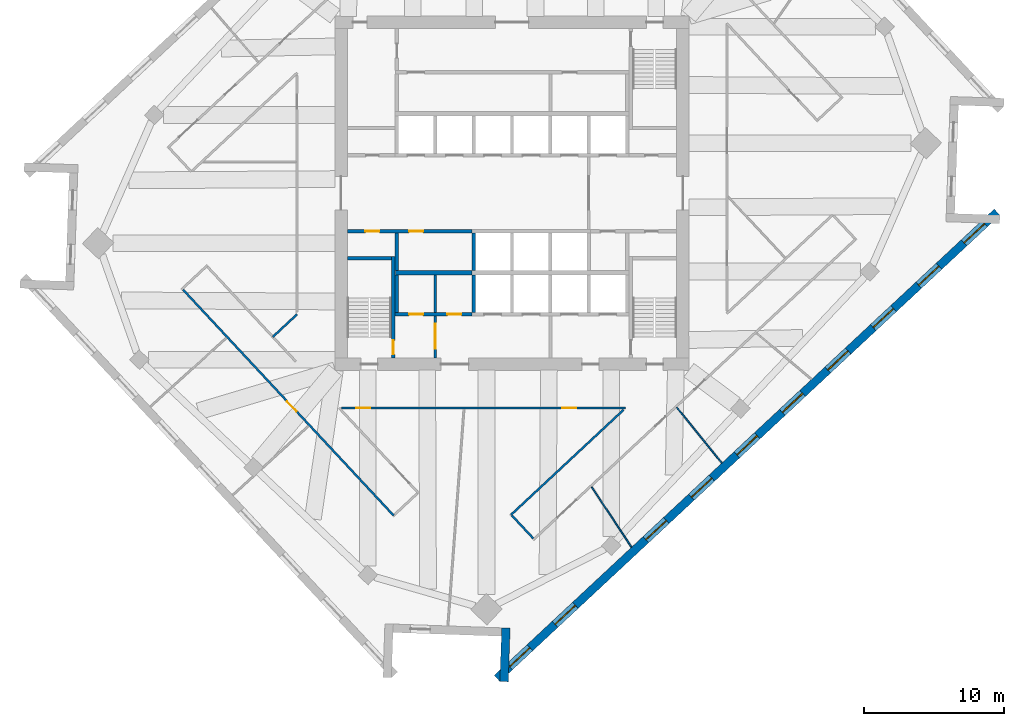
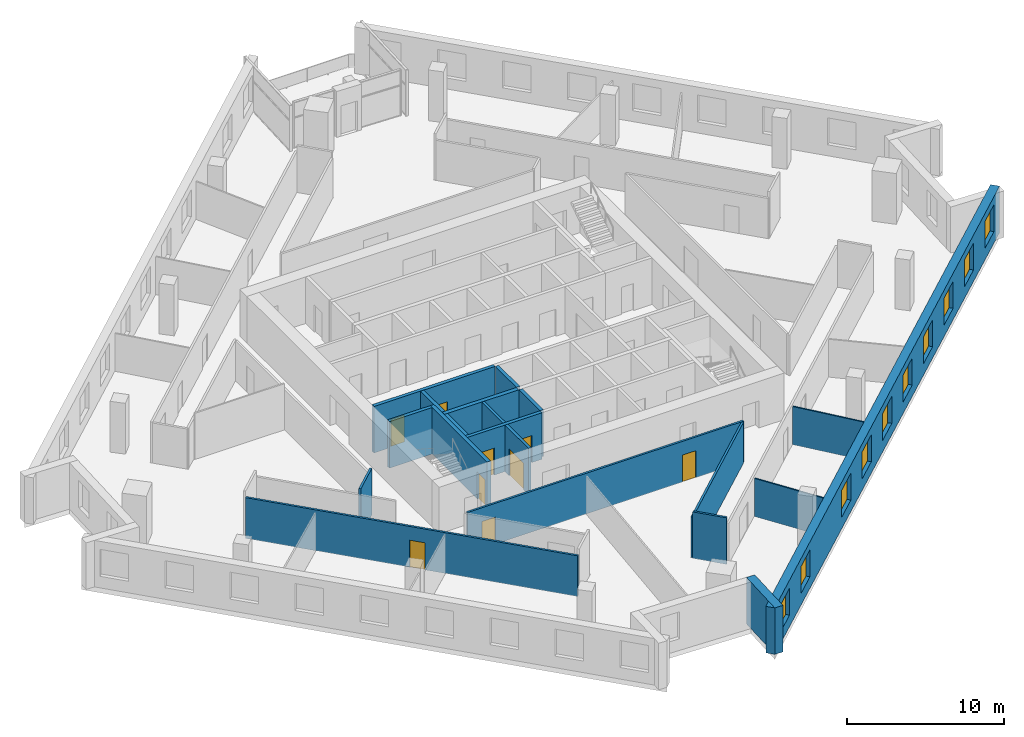
# One storey, part 4 of 10: 20 walls, 10 windows, 9 doors, 19 openings.
"""IFC4 building model written with IfcOpenShell, lengths in metres."""

from ifc_helpers import new_model, si_unit, direction, frame, frame_2d, origin, place, context, subcontext, project, spatial, rectangle, extrude, material, layer, layer_set, type_object, element, fill, save


model = new_model("IFC4")

# Units and contexts
model_context = context("Model", 3, precision=1e-05, world=origin(), true_north=direction((0.0, 1.0)))
body_context = subcontext(model_context, "Body", "Model", "MODEL_VIEW")
ifc_project = project(units=[si_unit("LENGTHUNIT", "METRE"), si_unit("AREAUNIT", "SQUARE_METRE"), si_unit("VOLUMEUNIT", "CUBIC_METRE"), si_unit("PLANEANGLEUNIT", "RADIAN"), si_unit("MASSUNIT", "GRAM", prefix="KILO")], contexts=[model_context])

# Site, building, storey
site_placement = place(None, origin())
site = spatial("IfcSite", under=ifc_project, at=site_placement, CompositionType="ELEMENT")
building_placement = place(site_placement, origin())
building = spatial("IfcBuilding", under=site, at=building_placement, Name="Dilmun Exchange Tower", CompositionType="ELEMENT")
storey_placement = place(building_placement, frame((0.0, 0.0, 201.300048828125)))
storey = spatial("IfcBuildingStorey", under=building, at=storey_placement, Name="L47", CompositionType="ELEMENT", Elevation=201.300048828125)

# Wall, opening, door
ifc_material_1 = material(Name="Concrete C40/50", Category="concrete")
ifc_layer_1 = layer(ifc_material_1, 0.199951171875)
ifc_layer_set_1 = layer_set([ifc_layer_1], Name="Concrete C40/50")
wall_type_1 = type_object("IfcWallType", Name="Core partition wall 200", PredefinedType="PARTITIONING", material=ifc_layer_set_1)
wall_1_placement = place(storey_placement, frame((-5.5, -11.794921875, 0.0), z_axis=(0.0, 0.0, 1.0), x_axis=(0.0, 1.0, 0.0)))
wall_1 = element("IfcWall", 1, at=wall_1_placement, inside=storey, type_object=wall_type_1, Name="L47 core partition wall 01", PredefinedType="PARTITIONING", context=body_context, shape_type="SweptSolid", body=[
    extrude(rectangle(XDim=2.989990234375, YDim=0.199951171875, at=frame_2d((1.4951171875, 0.0))), origin(), (0.0, 0.0, 1.0), 3.619873046875),
])
opening_1_placement = place(wall_1_placement, frame((0.657470703125, 0.0, 0.0)))
opening_1 = element("IfcOpeningElement", 2, at=opening_1_placement, cuts=wall_1, Name="Opening CD5", PredefinedType="OPENING", context=body_context, shape_type="SweptSolid", body=[
    extrude(rectangle(XDim=1.800048828125, YDim=2.10009765625, at=frame_2d((0.89990234375, 1.050048828125))), frame((0.0, 0.10986328125, 0.0), z_axis=(0.0, -1.0, 0.0), x_axis=(1.0, 0.0, 0.0)), (0.0, 0.0, 1.0), 0.219970703125),
])
ifc_material_2 = material(Name="Fire-rated steel door set", Category="steel")
door_type_1 = type_object("IfcDoorType", Name="Stair exit door 1800x2100", OperationType="SINGLE_SWING_LEFT", PredefinedType="DOOR", material=ifc_material_2)
door_1_placement = place(opening_1_placement, origin())
door_1 = element("IfcDoor", 3, at=door_1_placement, inside=storey, type_object=door_type_1, Name="L47 door Service lobby east", OperationType="SINGLE_SWING_LEFT", OverallHeight=2.10009765625, OverallWidth=1.800048828125, PredefinedType="DOOR", context=body_context, shape_type="SweptSolid", body=[
    extrude(rectangle(XDim=1.800048828125, YDim=2.10009765625, at=frame_2d((0.89990234375, 1.050048828125))), frame((0.0, 0.02490234375, 0.0), z_axis=(0.0, -1.0, 0.0), x_axis=(1.0, 0.0, 0.0)), (0.0, 0.0, 1.0), 0.050048828125),
])
fill(opening_1, door_1)

# Wall
wall_2_placement = place(storey_placement, frame((-5.5, -8.544921875, 0.0), z_axis=(0.0, 0.0, 1.0), x_axis=(0.0, 1.0, 0.0)))
element("IfcWall", 4, at=wall_2_placement, inside=storey, type_object=wall_type_1, Name="L47 core partition wall 05", PredefinedType="PARTITIONING", context=body_context, shape_type="SweptSolid", body=[
    extrude(rectangle(XDim=2.68994140625, YDim=0.199951171875, at=frame_2d((1.344970703125, 0.0))), origin(), (0.0, 0.0, 1.0), 3.619873046875),
])

# Wall, openings, doors
ifc_layer_2 = layer(ifc_material_1, 0.25)
ifc_layer_set_2 = layer_set([ifc_layer_2], Name="Concrete C40/50")
wall_type_2 = type_object("IfcWallType", Name="Core partition wall 250", PredefinedType="PARTITIONING", material=ifc_layer_set_2)
wall_3_placement = place(storey_placement, frame((-8.3701171875, -8.675048828125, 0.0), z_axis=(0.0, 0.0, 1.0), x_axis=(1.0, 0.0, 0.0)))
wall_3 = element("IfcWall", 5, at=wall_3_placement, inside=storey, type_object=wall_type_2, Name="L47 core partition wall 03", PredefinedType="PARTITIONING", context=body_context, shape_type="SweptSolid", body=[
    extrude(rectangle(XDim=5.490234375, YDim=0.25, at=frame_2d((2.7451171875, 0.0))), origin(), (0.0, 0.0, 1.0), 3.619873046875),
])
opening_2_placement = place(wall_3_placement, frame((0.9951171875, 0.0, 0.0)))
opening_2 = element("IfcOpeningElement", 6, at=opening_2_placement, cuts=wall_3, Name="Opening CD4", PredefinedType="OPENING", context=body_context, shape_type="SweptSolid", body=[
    extrude(rectangle(XDim=1.0, YDim=2.10009765625, at=frame_2d((0.5, 1.050048828125))), frame((0.0, 0.135009765625, 0.0), z_axis=(0.0, -1.0, 0.0), x_axis=(1.0, 0.0, 0.0)), (0.0, 0.0, 1.0), 0.27001953125),
])
opening_3_placement = place(wall_3_placement, frame((3.7451171875, 0.0, 0.0)))
opening_3 = element("IfcOpeningElement", 7, at=opening_3_placement, cuts=wall_3, Name="Opening CD4", PredefinedType="OPENING", context=body_context, shape_type="SweptSolid", body=[
    extrude(rectangle(XDim=1.0, YDim=2.10009765625, at=frame_2d((0.5, 1.050048828125))), frame((0.0, 0.135009765625, 0.0), z_axis=(0.0, -1.0, 0.0), x_axis=(1.0, 0.0, 0.0)), (0.0, 0.0, 1.0), 0.27001953125),
])
door_type_2 = type_object("IfcDoorType", Name="Core room door 1000x2100", OperationType="SINGLE_SWING_LEFT", PredefinedType="DOOR", material=ifc_material_2)
door_2_placement = place(opening_2_placement, origin())
door_2 = element("IfcDoor", 8, at=door_2_placement, inside=storey, type_object=door_type_2, Name="L47 door Male WC", OperationType="SINGLE_SWING_RIGHT", OverallHeight=2.10009765625, OverallWidth=1.0, PredefinedType="DOOR", context=body_context, shape_type="SweptSolid", body=[
    extrude(rectangle(XDim=1.0, YDim=2.10009765625, at=frame_2d((0.5, 1.050048828125))), frame((0.0, 0.02490234375, 0.0), z_axis=(0.0, -1.0, 0.0), x_axis=(1.0, 0.0, 0.0)), (0.0, 0.0, 1.0), 0.050048828125),
])
fill(opening_2, door_2)
door_3_placement = place(opening_3_placement, origin())
door_3 = element("IfcDoor", 9, at=door_3_placement, inside=storey, type_object=door_type_2, Name="L47 door Female WC", OperationType="SINGLE_SWING_RIGHT", OverallHeight=2.10009765625, OverallWidth=1.0, PredefinedType="DOOR", context=body_context, shape_type="SweptSolid", body=[
    extrude(rectangle(XDim=1.0, YDim=2.10009765625, at=frame_2d((0.5, 1.050048828125))), frame((0.0, 0.02490234375, 0.0), z_axis=(0.0, -1.0, 0.0), x_axis=(1.0, 0.0, 0.0)), (0.0, 0.0, 1.0), 0.050048828125),
])
fill(opening_3, door_3)

# Walls
for number, where, z_axis, x_axis, name in (
    (10, (-8.25, -8.544921875, 0.0), (0.0, 0.0, 1.0), (0.0, 1.0, 0.0), "L47 core partition wall 04"),
    (11, (-8.25, -5.544921875, 0.0), (0.0, 0.0, 1.0), (0.0, 1.0, 0.0), "L47 core partition wall 07"),
):
    element("IfcWall", number, at=place(storey_placement, frame(where, z_axis=z_axis, x_axis=x_axis)), inside=storey, type_object=wall_type_2, Name=name, PredefinedType="PARTITIONING", context=body_context, shape_type="SweptSolid", body=[
        extrude(rectangle(XDim=2.68994140625, YDim=0.25, at=frame_2d((1.344970703125, 0.0))), origin(), (0.0, 0.0, 1.0), 3.619873046875),
    ])

# Wall, openings, doors
wall_4_placement = place(storey_placement, frame((-11.794921875, -2.72509765625, 0.0), z_axis=(0.0, 0.0, 1.0), x_axis=(1.0, 0.0, 0.0)))
wall_4 = element("IfcWall", 12, at=wall_4_placement, inside=storey, type_object=wall_type_2, Name="L47 core partition wall 09", PredefinedType="PARTITIONING", context=body_context, shape_type="SweptSolid", body=[
    extrude(rectangle(XDim=8.9150390625, YDim=0.25, at=frame_2d((4.45751953125, 0.0))), origin(), (0.0, 0.0, 1.0), 3.619873046875),
])
opening_4_placement = place(wall_4_placement, frame((1.294921875, 0.0, 0.0)))
opening_4 = element("IfcOpeningElement", 13, at=opening_4_placement, cuts=wall_4, Name="Opening CD4", PredefinedType="OPENING", context=body_context, shape_type="SweptSolid", body=[
    extrude(rectangle(XDim=1.0, YDim=2.10009765625, at=frame_2d((0.5, 1.050048828125))), frame((0.0, 0.135009765625, 0.0), z_axis=(0.0, -1.0, 0.0), x_axis=(1.0, 0.0, 0.0)), (0.0, 0.0, 1.0), 0.27001953125),
])
opening_5_placement = place(wall_4_placement, frame((4.419921875, 0.0, 0.0)))
opening_5 = element("IfcOpeningElement", 14, at=opening_5_placement, cuts=wall_4, Name="Opening CD4", PredefinedType="OPENING", context=body_context, shape_type="SweptSolid", body=[
    extrude(rectangle(XDim=1.0, YDim=2.10009765625, at=frame_2d((0.5, 1.050048828125))), frame((0.0, 0.135009765625, 0.0), z_axis=(0.0, -1.0, 0.0), x_axis=(1.0, 0.0, 0.0)), (0.0, 0.0, 1.0), 0.27001953125),
])
door_4_placement = place(opening_4_placement, origin())
door_4 = element("IfcDoor", 15, at=door_4_placement, inside=storey, type_object=door_type_2, Name="L47 door Accessible WC", OperationType="SINGLE_SWING_RIGHT", OverallHeight=2.10009765625, OverallWidth=1.0, PredefinedType="DOOR", context=body_context, shape_type="SweptSolid", body=[
    extrude(rectangle(XDim=1.0, YDim=2.10009765625, at=frame_2d((0.5, 1.050048828125))), frame((0.0, 0.02490234375, 0.0), z_axis=(0.0, -1.0, 0.0), x_axis=(1.0, 0.0, 0.0)), (0.0, 0.0, 1.0), 0.050048828125),
])
fill(opening_4, door_4)
door_5_placement = place(opening_5_placement, origin())
door_5 = element("IfcDoor", 16, at=door_5_placement, inside=storey, type_object=door_type_2, Name="L47 door Mechanical room", OperationType="SINGLE_SWING_RIGHT", OverallHeight=2.10009765625, OverallWidth=1.0, PredefinedType="DOOR", context=body_context, shape_type="SweptSolid", body=[
    extrude(rectangle(XDim=1.0, YDim=2.10009765625, at=frame_2d((0.5, 1.050048828125))), frame((0.0, 0.02490234375, 0.0), z_axis=(0.0, -1.0, 0.0), x_axis=(1.0, 0.0, 0.0)), (0.0, 0.0, 1.0), 0.050048828125),
])
fill(opening_5, door_5)

# Wall
ifc_layer_3 = layer(ifc_material_1, 0.300048828125)
ifc_layer_set_3 = layer_set([ifc_layer_3], Name="Concrete C40/50")
wall_type_3 = type_object("IfcWallType", Name="Core partition wall 300", PredefinedType="PARTITIONING", material=ifc_layer_set_3)
wall_5_placement = place(storey_placement, frame((-8.35009765625, -5.699951171875, 0.0), z_axis=(0.0, 0.0, 1.0), x_axis=(1.0, 0.0, 0.0)))
element("IfcWall", 17, at=wall_5_placement, inside=storey, type_object=wall_type_3, Name="L47 core partition wall 06", PredefinedType="PARTITIONING", context=body_context, shape_type="SweptSolid", body=[
    extrude(rectangle(XDim=5.47021484375, YDim=0.300048828125, at=frame_2d((2.735107421875, 0.0))), origin(), (0.0, 0.0, 1.0), 3.619873046875),
])

# Wall, opening, door
ifc_material_3 = material(Name="Corridor wall 150")
ifc_layer_4 = layer(ifc_material_3, 0.14990234375)
ifc_layer_set_4 = layer_set([ifc_layer_4], Name="Corridor wall 150")
wall_type_4 = type_object("IfcWallType", Name="Corridor wall 150", PredefinedType="PARTITIONING", material=ifc_layer_set_4)
wall_6_placement = place(storey_placement, frame((-23.581787109375, -6.906982421875, 0.0), z_axis=(0.0, 0.0, 1.0), x_axis=(0.68201130552, -0.73134162957, 0.0)))
wall_6 = element("IfcWall", 18, at=wall_6_placement, inside=storey, type_object=wall_type_4, Name="Corridor wall", PredefinedType="PARTITIONING", context=body_context, shape_type="SweptSolid", body=[
    extrude(rectangle(XDim=22.13720703125, YDim=0.14990234375, at=frame_2d((11.068603515625, 0.0))), origin(), (0.0, 0.0, 1.0), 3.169921875),
])
opening_6_placement = place(wall_6_placement, frame((10.953369140625, 0.0, 0.0)))
opening_6 = element("IfcOpeningElement", 19, at=opening_6_placement, cuts=wall_6, Name="Opening TF46-D03", PredefinedType="OPENING", context=body_context, shape_type="SweptSolid", body=[
    extrude(rectangle(XDim=1.0, YDim=2.10009765625, at=frame_2d((0.5, 1.050048828125))), frame((0.0, 0.0849609375, 0.0), z_axis=(0.0, -1.0, 0.0), x_axis=(1.0, 0.0, 0.0)), (0.0, 0.0, 1.0), 0.169921875),
])
ifc_material_4 = material(Name="Fire door 1000 x 2100")
door_type_3 = type_object("IfcDoorType", Name="Fire door 1000 x 2100", OperationType="NOTDEFINED", PredefinedType="DOOR", material=ifc_material_4)
door_6_placement = place(opening_6_placement, frame((1.0, 0.0, 0.0), z_axis=(0.0, 0.0, 1.0), x_axis=(-1.0, 0.0, 0.0)))
door_6 = element("IfcDoor", 20, at=door_6_placement, inside=storey, type_object=door_type_3, Name="Door TF46-D03", OperationType="SINGLE_SWING_RIGHT", OverallHeight=2.10009765625, OverallWidth=1.0, PredefinedType="DOOR", context=body_context, shape_type="SweptSolid", body=[
    extrude(rectangle(XDim=1.0, YDim=2.10009765625, at=frame_2d((0.5, 1.050048828125))), frame((0.0, 0.02490234375, 0.0), z_axis=(0.0, -1.0, 0.0), x_axis=(1.0, 0.0, 0.0)), (0.0, 0.0, 1.0), 0.050048828125),
])
fill(opening_6, door_6)

# Wall
wall_7_placement = place(storey_placement, frame((-17.139892578125, -10.294921875, 0.0), z_axis=(0.0, 0.0, 1.0), x_axis=(0.731509059071, 0.681831721539, 0.0)))
element("IfcWall", 21, at=wall_7_placement, inside=storey, type_object=wall_type_4, Name="Corridor wall", PredefinedType="PARTITIONING", context=body_context, shape_type="SweptSolid", body=[
    extrude(rectangle(XDim=2.378662109375, YDim=0.14990234375, at=frame_2d((1.189453125, 0.0))), origin(), (0.0, 0.0, 1.0), 3.619873046875),
])

# Wall, openings, doors
wall_8_placement = place(storey_placement, frame((-12.20751953125, -15.39990234375, 0.0), z_axis=(0.0, 0.0, 1.0), x_axis=(1.0, 0.0, 0.0)))
wall_8 = element("IfcWall", 22, at=wall_8_placement, inside=storey, type_object=wall_type_4, Name="Corridor wall", PredefinedType="PARTITIONING", context=body_context, shape_type="SweptSolid", body=[
    extrude(rectangle(XDim=20.33642578125, YDim=0.14990234375, at=frame_2d((10.168212890625, 0.0))), origin(), (0.0, 0.0, 1.0), 3.169921875),
])
opening_7_placement = place(wall_8_placement, frame((1.050048828125, 0.0, 0.0)))
opening_7 = element("IfcOpeningElement", 23, at=opening_7_placement, cuts=wall_8, Name="Opening TF46-D08", PredefinedType="OPENING", context=body_context, shape_type="SweptSolid", body=[
    extrude(rectangle(XDim=1.0, YDim=2.10009765625, at=frame_2d((0.5, 1.050048828125))), frame((0.0, 0.0849609375, 0.0), z_axis=(0.0, -1.0, 0.0), x_axis=(1.0, 0.0, 0.0)), (0.0, 0.0, 1.0), 0.169921875),
])
opening_8_placement = place(wall_8_placement, frame((15.818359375, 0.0, 0.0)))
opening_8 = element("IfcOpeningElement", 24, at=opening_8_placement, cuts=wall_8, Name="Opening TF46-D10", PredefinedType="OPENING", context=body_context, shape_type="SweptSolid", body=[
    extrude(rectangle(XDim=1.0, YDim=2.10009765625, at=frame_2d((0.5, 1.050048828125))), frame((0.0, 0.0849609375, 0.0), z_axis=(0.0, -1.0, 0.0), x_axis=(1.0, 0.0, 0.0)), (0.0, 0.0, 1.0), 0.169921875),
])
door_7_placement = place(opening_7_placement, frame((1.0, 0.0, 0.0), z_axis=(0.0, 0.0, 1.0), x_axis=(-1.0, 0.0, 0.0)))
door_7 = element("IfcDoor", 25, at=door_7_placement, inside=storey, type_object=door_type_3, Name="Door TF46-D08", OperationType="SINGLE_SWING_RIGHT", OverallHeight=2.10009765625, OverallWidth=1.0, PredefinedType="DOOR", context=body_context, shape_type="SweptSolid", body=[
    extrude(rectangle(XDim=1.0, YDim=2.10009765625, at=frame_2d((0.5, 1.050048828125))), frame((0.0, 0.02490234375, 0.0), z_axis=(0.0, -1.0, 0.0), x_axis=(1.0, 0.0, 0.0)), (0.0, 0.0, 1.0), 0.050048828125),
])
fill(opening_7, door_7)
door_8_placement = place(opening_8_placement, frame((1.0, 0.0, 0.0), z_axis=(0.0, 0.0, 1.0), x_axis=(-1.0, 0.0, 0.0)))
door_8 = element("IfcDoor", 26, at=door_8_placement, inside=storey, type_object=door_type_3, Name="Door TF46-D10", OperationType="SINGLE_SWING_LEFT", OverallHeight=2.10009765625, OverallWidth=1.0, PredefinedType="DOOR", context=body_context, shape_type="SweptSolid", body=[
    extrude(rectangle(XDim=1.0, YDim=2.10009765625, at=frame_2d((0.5, 1.050048828125))), frame((0.0, 0.02490234375, 0.0), z_axis=(0.0, -1.0, 0.0), x_axis=(1.0, 0.0, 0.0)), (0.0, 0.0, 1.0), 0.050048828125),
])
fill(opening_8, door_8)

# Walls
wall_9_placement = place(storey_placement, frame((-0.06103515625, -23.0380859375, 0.0), z_axis=(0.0, 0.0, 1.0), x_axis=(0.731316284431, 0.682038482878, 0.0)))
element("IfcWall", 27, at=wall_9_placement, inside=storey, type_object=wall_type_4, Name="Corridor wall", PredefinedType="PARTITIONING", context=body_context, shape_type="SweptSolid", body=[
    extrude(rectangle(XDim=11.008544921875, YDim=0.14990234375, at=frame_2d((5.50439453125, 0.0))), origin(), (0.0, 0.0, 1.0), 3.169921875),
])
wall_10_placement = place(storey_placement, frame((-0.009765625, -23.0927734375, 0.0), z_axis=(0.0, 0.0, 1.0), x_axis=(0.682101713431, -0.731257309388, 0.0)))
element("IfcWall", 28, at=wall_10_placement, inside=storey, type_object=wall_type_4, Name="Corridor wall", PredefinedType="PARTITIONING", context=body_context, shape_type="SweptSolid", body=[
    extrude(rectangle(XDim=2.25, YDim=0.14990234375, at=frame_2d((1.125, 0.0))), origin(), (0.0, 0.0, 1.0), 3.619873046875),
])
ifc_layer_5 = layer(ifc_material_1, 0.25)
ifc_layer_set_5 = layer_set([ifc_layer_5], Name="Concrete C40/50")
wall_type_5 = type_object("IfcWallType", Name="Lift shaft wall 250", PredefinedType="SOLIDWALL", material=ifc_layer_set_5)
for number, where, z_axis, x_axis, name in (
    (29, (-2.75, -5.550048828125, 0.0), (0.0, 0.0, 1.0), (0.0, 1.0, 0.0), "L47 lift shaft divider S12"),
    (30, (-2.75, -8.550048828125, 0.0), (0.0, 0.0, 1.0), (0.0, 1.0, 0.0), "L47 lift shaft divider S22"),
):
    element("IfcWall", number, at=place(storey_placement, frame(where, z_axis=z_axis, x_axis=x_axis)), inside=storey, type_object=wall_type_5, Name=name, PredefinedType="SOLIDWALL", context=body_context, shape_type="SweptSolid", body=[
        extrude(rectangle(XDim=2.699951171875, YDim=0.25, at=frame_2d((1.35009765625, 0.0))), origin(), (0.0, 0.0, 1.0), 3.619873046875),
    ])
ifc_material_5 = material(Name="Partition 100")
ifc_layer_6 = layer(ifc_material_5, 0.10009765625)
ifc_layer_set_6 = layer_set([ifc_layer_6], Name="Partition 100")
wall_type_6 = type_object("IfcWallType", Name="Partition 100", PredefinedType="PARTITIONING", material=ifc_layer_set_6)
wall_11_placement = place(storey_placement, frame((5.710693359375, -21.051513671875, 0.0), z_axis=(0.0, 0.0, 1.0), x_axis=(0.55163930412, -0.834082776557, 0.0)))
element("IfcWall", 31, at=wall_11_placement, inside=storey, type_object=wall_type_6, Name="Partition", PredefinedType="PARTITIONING", context=body_context, shape_type="SweptSolid", body=[
    extrude(rectangle(XDim=5.178466796875, YDim=0.10009765625, at=frame_2d((2.58935546875, 0.0))), origin(), (0.0, 0.0, 1.0), 2.969970703125),
])
wall_12_placement = place(storey_placement, frame((11.8115234375, -15.35498046875, 0.0), z_axis=(0.0, 0.0, 1.0), x_axis=(0.629927020313, -0.776654330497, 0.0)))
element("IfcWall", 32, at=wall_12_placement, inside=storey, type_object=wall_type_6, Name="Partition", PredefinedType="PARTITIONING", context=body_context, shape_type="SweptSolid", body=[
    extrude(rectangle(XDim=5.124755859375, YDim=0.10009765625, at=frame_2d((2.5625, 0.0))), origin(), (0.0, 0.0, 1.0), 2.969970703125),
])
ifc_material_6 = material(Name="Precast concrete C50/60", Category="concrete")
ifc_layer_7 = layer(ifc_material_6, 0.60009765625)
ifc_layer_set_7 = layer_set([ifc_layer_7], Name="Precast concrete C50/60")
wall_type_7 = type_object("IfcWallType", Name="Precast stone-clad wall 600", PredefinedType="STANDARD", material=ifc_layer_set_7)
wall_13_placement = place(storey_placement, frame((-0.43408203125, -31.1591796875, 0.0), z_axis=(0.0, 0.0, 1.0), x_axis=(-0.034908217157, -0.999390522456, 0.0)))
element("IfcWall", 33, at=wall_13_placement, inside=storey, type_object=wall_type_7, Name="Facade wall L47-10", PredefinedType="STANDARD", context=body_context, shape_type="SweptSolid", body=[
    extrude(rectangle(XDim=3.8466796875, YDim=0.60009765625, at=frame_2d((1.92333984375, 0.0))), origin(), (0.0, 0.0, 1.0), 3.619873046875),
])

# Wall, openings, windows
wall_14_placement = place(storey_placement, frame((-1.07275390625, -34.7734375, 0.0), z_axis=(0.0, 0.0, 1.0), x_axis=(0.731351780381, 0.682000420333, 0.0)))
wall_14 = element("IfcWall", 34, at=wall_14_placement, inside=storey, type_object=wall_type_7, Name="Facade wall L47-11", PredefinedType="STANDARD", context=body_context, shape_type="SweptSolid", body=[
    extrude(rectangle(XDim=49.0, YDim=0.60009765625, at=frame_2d((24.5, 0.0))), origin(), (0.0, 0.0, 1.0), 3.619873046875),
])
opening_9_placement = place(wall_14_placement, frame((1.227294921875, 0.0, 0.89990234375)))
opening_9 = element("IfcOpeningElement", 35, at=opening_9_placement, cuts=wall_14, Name="Opening W200-210", PredefinedType="OPENING", context=body_context, shape_type="SweptSolid", body=[
    extrude(rectangle(XDim=2.0, YDim=2.10009765625, at=frame_2d((1.0, 1.050048828125))), frame((0.0, 0.31005859375, 0.0), z_axis=(0.0, -1.0, 0.0), x_axis=(1.0, 0.0, 0.0)), (0.0, 0.0, 1.0), 0.6201171875),
])
opening_10_placement = place(wall_14_placement, frame((5.681884765625, 0.0, 0.89990234375)))
opening_10 = element("IfcOpeningElement", 36, at=opening_10_placement, cuts=wall_14, Name="Opening W200-210", PredefinedType="OPENING", context=body_context, shape_type="SweptSolid", body=[
    extrude(rectangle(XDim=2.0, YDim=2.10009765625, at=frame_2d((1.0, 1.050048828125))), frame((0.0, 0.31005859375, 0.0), z_axis=(0.0, -1.0, 0.0), x_axis=(1.0, 0.0, 0.0)), (0.0, 0.0, 1.0), 0.6201171875),
])
opening_11_placement = place(wall_14_placement, frame((14.5908203125, 0.0, 0.89990234375)))
opening_11 = element("IfcOpeningElement", 37, at=opening_11_placement, cuts=wall_14, Name="Opening W200-210", PredefinedType="OPENING", context=body_context, shape_type="SweptSolid", body=[
    extrude(rectangle(XDim=2.0, YDim=2.10009765625, at=frame_2d((1.0, 1.050048828125))), frame((0.0, 0.31005859375, 0.0), z_axis=(0.0, -1.0, 0.0), x_axis=(1.0, 0.0, 0.0)), (0.0, 0.0, 1.0), 0.6201171875),
])
opening_12_placement = place(wall_14_placement, frame((19.04541015625, 0.0, 0.89990234375)))
opening_12 = element("IfcOpeningElement", 38, at=opening_12_placement, cuts=wall_14, Name="Opening W200-210", PredefinedType="OPENING", context=body_context, shape_type="SweptSolid", body=[
    extrude(rectangle(XDim=2.0, YDim=2.10009765625, at=frame_2d((1.0, 1.050048828125))), frame((0.0, 0.31005859375, 0.0), z_axis=(0.0, -1.0, 0.0), x_axis=(1.0, 0.0, 0.0)), (0.0, 0.0, 1.0), 0.6201171875),
])
opening_13_placement = place(wall_14_placement, frame((23.5, 0.0, 0.89990234375)))
opening_13 = element("IfcOpeningElement", 39, at=opening_13_placement, cuts=wall_14, Name="Opening W200-210", PredefinedType="OPENING", context=body_context, shape_type="SweptSolid", body=[
    extrude(rectangle(XDim=2.0, YDim=2.10009765625, at=frame_2d((1.0, 1.050048828125))), frame((0.0, 0.31005859375, 0.0), z_axis=(0.0, -1.0, 0.0), x_axis=(1.0, 0.0, 0.0)), (0.0, 0.0, 1.0), 0.6201171875),
])
opening_14_placement = place(wall_14_placement, frame((27.95458984375, 0.0, 0.89990234375)))
opening_14 = element("IfcOpeningElement", 40, at=opening_14_placement, cuts=wall_14, Name="Opening W200-210", PredefinedType="OPENING", context=body_context, shape_type="SweptSolid", body=[
    extrude(rectangle(XDim=2.0, YDim=2.10009765625, at=frame_2d((1.0, 1.050048828125))), frame((0.0, 0.31005859375, 0.0), z_axis=(0.0, -1.0, 0.0), x_axis=(1.0, 0.0, 0.0)), (0.0, 0.0, 1.0), 0.6201171875),
])
opening_15_placement = place(wall_14_placement, frame((32.4091796875, 0.0, 0.89990234375)))
opening_15 = element("IfcOpeningElement", 41, at=opening_15_placement, cuts=wall_14, Name="Opening W200-210", PredefinedType="OPENING", context=body_context, shape_type="SweptSolid", body=[
    extrude(rectangle(XDim=2.0, YDim=2.10009765625, at=frame_2d((1.0, 1.050048828125))), frame((0.0, 0.31005859375, 0.0), z_axis=(0.0, -1.0, 0.0), x_axis=(1.0, 0.0, 0.0)), (0.0, 0.0, 1.0), 0.6201171875),
])
opening_16_placement = place(wall_14_placement, frame((36.863525390625, 0.0, 0.89990234375)))
opening_16 = element("IfcOpeningElement", 42, at=opening_16_placement, cuts=wall_14, Name="Opening W200-210", PredefinedType="OPENING", context=body_context, shape_type="SweptSolid", body=[
    extrude(rectangle(XDim=2.0, YDim=2.10009765625, at=frame_2d((1.0, 1.050048828125))), frame((0.0, 0.31005859375, 0.0), z_axis=(0.0, -1.0, 0.0), x_axis=(1.0, 0.0, 0.0)), (0.0, 0.0, 1.0), 0.6201171875),
])
opening_17_placement = place(wall_14_placement, frame((41.318115234375, 0.0, 0.89990234375)))
opening_17 = element("IfcOpeningElement", 43, at=opening_17_placement, cuts=wall_14, Name="Opening W200-210", PredefinedType="OPENING", context=body_context, shape_type="SweptSolid", body=[
    extrude(rectangle(XDim=2.0, YDim=2.10009765625, at=frame_2d((1.0, 1.050048828125))), frame((0.0, 0.31005859375, 0.0), z_axis=(0.0, -1.0, 0.0), x_axis=(1.0, 0.0, 0.0)), (0.0, 0.0, 1.0), 0.6201171875),
])
opening_18_placement = place(wall_14_placement, frame((45.772705078125, 0.0, 0.89990234375)))
opening_18 = element("IfcOpeningElement", 44, at=opening_18_placement, cuts=wall_14, Name="Opening W200-210", PredefinedType="OPENING", context=body_context, shape_type="SweptSolid", body=[
    extrude(rectangle(XDim=2.0, YDim=2.10009765625, at=frame_2d((1.0, 1.050048828125))), frame((0.0, 0.31005859375, 0.0), z_axis=(0.0, -1.0, 0.0), x_axis=(1.0, 0.0, 0.0)), (0.0, 0.0, 1.0), 0.6201171875),
])
ifc_material_7 = material(Name="Clear low-emissivity glass in aluminium frame", Category="aluminium")
window_type = type_object("IfcWindowType", Name="Punched window 2000 x 2100", PartitioningType="DOUBLE_PANEL_VERTICAL", PredefinedType="WINDOW", material=ifc_material_7)
window_1_placement = place(opening_9_placement, origin())
window_1 = element("IfcWindow", 45, at=window_1_placement, inside=storey, type_object=window_type, Name="Window 12.1", OverallHeight=2.10009765625, OverallWidth=2.0, PartitioningType="SINGLE_PANEL", PredefinedType="WINDOW", context=body_context, shape_type="SweptSolid", body=[
    extrude(rectangle(XDim=2.0, YDim=2.10009765625, at=frame_2d((1.0, 1.050048828125))), frame((0.0, 0.030029296875, 0.0), z_axis=(0.0, -1.0, 0.0), x_axis=(1.0, 0.0, 0.0)), (0.0, 0.0, 1.0), 0.06005859375),
])
fill(opening_9, window_1)
window_2_placement = place(opening_10_placement, origin())
window_2 = element("IfcWindow", 46, at=window_2_placement, inside=storey, type_object=window_type, Name="Window 12.2", OverallHeight=2.10009765625, OverallWidth=2.0, PartitioningType="SINGLE_PANEL", PredefinedType="WINDOW", context=body_context, shape_type="SweptSolid", body=[
    extrude(rectangle(XDim=2.0, YDim=2.10009765625, at=frame_2d((1.0, 1.050048828125))), frame((0.0, 0.030029296875, 0.0), z_axis=(0.0, -1.0, 0.0), x_axis=(1.0, 0.0, 0.0)), (0.0, 0.0, 1.0), 0.06005859375),
])
fill(opening_10, window_2)
window_3_placement = place(opening_11_placement, origin())
window_3 = element("IfcWindow", 47, at=window_3_placement, inside=storey, type_object=window_type, Name="Window 12.4", OverallHeight=2.10009765625, OverallWidth=2.0, PartitioningType="SINGLE_PANEL", PredefinedType="WINDOW", context=body_context, shape_type="SweptSolid", body=[
    extrude(rectangle(XDim=2.0, YDim=2.10009765625, at=frame_2d((1.0, 1.050048828125))), frame((0.0, 0.030029296875, 0.0), z_axis=(0.0, -1.0, 0.0), x_axis=(1.0, 0.0, 0.0)), (0.0, 0.0, 1.0), 0.06005859375),
])
fill(opening_11, window_3)
window_4_placement = place(opening_12_placement, origin())
window_4 = element("IfcWindow", 48, at=window_4_placement, inside=storey, type_object=window_type, Name="Window 12.5", OverallHeight=2.10009765625, OverallWidth=2.0, PartitioningType="SINGLE_PANEL", PredefinedType="WINDOW", context=body_context, shape_type="SweptSolid", body=[
    extrude(rectangle(XDim=2.0, YDim=2.10009765625, at=frame_2d((1.0, 1.050048828125))), frame((0.0, 0.030029296875, 0.0), z_axis=(0.0, -1.0, 0.0), x_axis=(1.0, 0.0, 0.0)), (0.0, 0.0, 1.0), 0.06005859375),
])
fill(opening_12, window_4)
window_5_placement = place(opening_13_placement, origin())
window_5 = element("IfcWindow", 49, at=window_5_placement, inside=storey, type_object=window_type, Name="Window 12.6", OverallHeight=2.10009765625, OverallWidth=2.0, PartitioningType="SINGLE_PANEL", PredefinedType="WINDOW", context=body_context, shape_type="SweptSolid", body=[
    extrude(rectangle(XDim=2.0, YDim=2.10009765625, at=frame_2d((1.0, 1.050048828125))), frame((0.0, 0.030029296875, 0.0), z_axis=(0.0, -1.0, 0.0), x_axis=(1.0, 0.0, 0.0)), (0.0, 0.0, 1.0), 0.06005859375),
])
fill(opening_13, window_5)
window_6_placement = place(opening_14_placement, origin())
window_6 = element("IfcWindow", 50, at=window_6_placement, inside=storey, type_object=window_type, Name="Window 12.7", OverallHeight=2.10009765625, OverallWidth=2.0, PartitioningType="SINGLE_PANEL", PredefinedType="WINDOW", context=body_context, shape_type="SweptSolid", body=[
    extrude(rectangle(XDim=2.0, YDim=2.10009765625, at=frame_2d((1.0, 1.050048828125))), frame((0.0, 0.030029296875, 0.0), z_axis=(0.0, -1.0, 0.0), x_axis=(1.0, 0.0, 0.0)), (0.0, 0.0, 1.0), 0.06005859375),
])
fill(opening_14, window_6)
window_7_placement = place(opening_15_placement, origin())
window_7 = element("IfcWindow", 51, at=window_7_placement, inside=storey, type_object=window_type, Name="Window 12.8", OverallHeight=2.10009765625, OverallWidth=2.0, PartitioningType="SINGLE_PANEL", PredefinedType="WINDOW", context=body_context, shape_type="SweptSolid", body=[
    extrude(rectangle(XDim=2.0, YDim=2.10009765625, at=frame_2d((1.0, 1.050048828125))), frame((0.0, 0.030029296875, 0.0), z_axis=(0.0, -1.0, 0.0), x_axis=(1.0, 0.0, 0.0)), (0.0, 0.0, 1.0), 0.06005859375),
])
fill(opening_15, window_7)
window_8_placement = place(opening_16_placement, origin())
window_8 = element("IfcWindow", 52, at=window_8_placement, inside=storey, type_object=window_type, Name="Window 12.9", OverallHeight=2.10009765625, OverallWidth=2.0, PartitioningType="SINGLE_PANEL", PredefinedType="WINDOW", context=body_context, shape_type="SweptSolid", body=[
    extrude(rectangle(XDim=2.0, YDim=2.10009765625, at=frame_2d((1.0, 1.050048828125))), frame((0.0, 0.030029296875, 0.0), z_axis=(0.0, -1.0, 0.0), x_axis=(1.0, 0.0, 0.0)), (0.0, 0.0, 1.0), 0.06005859375),
])
fill(opening_16, window_8)
window_9_placement = place(opening_17_placement, origin())
window_9 = element("IfcWindow", 53, at=window_9_placement, inside=storey, type_object=window_type, Name="Window 12.10", OverallHeight=2.10009765625, OverallWidth=2.0, PartitioningType="SINGLE_PANEL", PredefinedType="WINDOW", context=body_context, shape_type="SweptSolid", body=[
    extrude(rectangle(XDim=2.0, YDim=2.10009765625, at=frame_2d((1.0, 1.050048828125))), frame((0.0, 0.030029296875, 0.0), z_axis=(0.0, -1.0, 0.0), x_axis=(1.0, 0.0, 0.0)), (0.0, 0.0, 1.0), 0.06005859375),
])
fill(opening_17, window_9)
window_10_placement = place(opening_18_placement, origin())
window_10 = element("IfcWindow", 54, at=window_10_placement, inside=storey, type_object=window_type, Name="Window 12.11", OverallHeight=2.10009765625, OverallWidth=2.0, PartitioningType="SINGLE_PANEL", PredefinedType="WINDOW", context=body_context, shape_type="SweptSolid", body=[
    extrude(rectangle(XDim=2.0, YDim=2.10009765625, at=frame_2d((1.0, 1.050048828125))), frame((0.0, 0.030029296875, 0.0), z_axis=(0.0, -1.0, 0.0), x_axis=(1.0, 0.0, 0.0)), (0.0, 0.0, 1.0), 0.06005859375),
])
fill(opening_18, window_10)

# Wall
ifc_layer_8 = layer(ifc_material_1, 0.25)
ifc_layer_set_8 = layer_set([ifc_layer_8], Name="Concrete C40/50")
wall_type_8 = type_object("IfcWallType", Name="Stair end wall 250", PredefinedType="SOLIDWALL", material=ifc_layer_set_8)
wall_15_placement = place(storey_placement, frame((-8.64990234375, -4.675048828125, 0.0), z_axis=(0.0, 0.0, 1.0), x_axis=(-1.0, 0.0, 0.0)))
element("IfcWall", 55, at=wall_15_placement, inside=storey, type_object=wall_type_8, Name="L47 ST2 far wall", PredefinedType="SOLIDWALL", context=body_context, shape_type="SweptSolid", body=[
    extrude(rectangle(XDim=3.150146484375, YDim=0.25, at=frame_2d((1.5751953125, 0.0))), origin(), (0.0, 0.0, 1.0), 3.619873046875),
])

# Wall, opening, door
ifc_layer_9 = layer(ifc_material_1, 0.27490234375)
ifc_layer_set_9 = layer_set([ifc_layer_9], Name="Concrete C40/50")
wall_type_9 = type_object("IfcWallType", Name="Stair wall 275", PredefinedType="SOLIDWALL", material=ifc_layer_set_9)
wall_16_placement = place(storey_placement, frame((-8.512451171875, -4.550048828125, 0.0), z_axis=(0.0, 0.0, 1.0), x_axis=(0.0, -1.0, 0.0)))
wall_16 = element("IfcWall", 56, at=wall_16_placement, inside=storey, type_object=wall_type_9, Name="L47 ST2 wall to lift block", PredefinedType="SOLIDWALL", context=body_context, shape_type="SweptSolid", body=[
    extrude(rectangle(XDim=7.25, YDim=0.27490234375, at=frame_2d((3.625, 0.0))), origin(), (0.0, 0.0, 1.0), 3.619873046875),
])
opening_19_placement = place(wall_16_placement, frame((6.0, 0.0, 0.0)))
opening_19 = element("IfcOpeningElement", 57, at=opening_19_placement, cuts=wall_16, Name="Opening CD4", PredefinedType="OPENING", context=body_context, shape_type="SweptSolid", body=[
    extrude(rectangle(XDim=1.0, YDim=2.10009765625, at=frame_2d((0.5, 1.050048828125))), frame((0.0, 0.1474609375, 0.0), z_axis=(0.0, -1.0, 0.0), x_axis=(1.0, 0.0, 0.0)), (0.0, 0.0, 1.0), 0.294921875),
])
door_9_placement = place(opening_19_placement, origin())
door_9 = element("IfcDoor", 58, at=door_9_placement, inside=storey, type_object=door_type_2, Name="L47 door ST2 from lobby", OperationType="SINGLE_SWING_LEFT", OverallHeight=2.10009765625, OverallWidth=1.0, PredefinedType="DOOR", context=body_context, shape_type="SweptSolid", body=[
    extrude(rectangle(XDim=1.0, YDim=2.10009765625, at=frame_2d((0.5, 1.050048828125))), frame((0.0, 0.02490234375, 0.0), z_axis=(0.0, -1.0, 0.0), x_axis=(1.0, 0.0, 0.0)), (0.0, 0.0, 1.0), 0.050048828125),
])
fill(opening_19, door_9)

save(model, "model.ifc")
